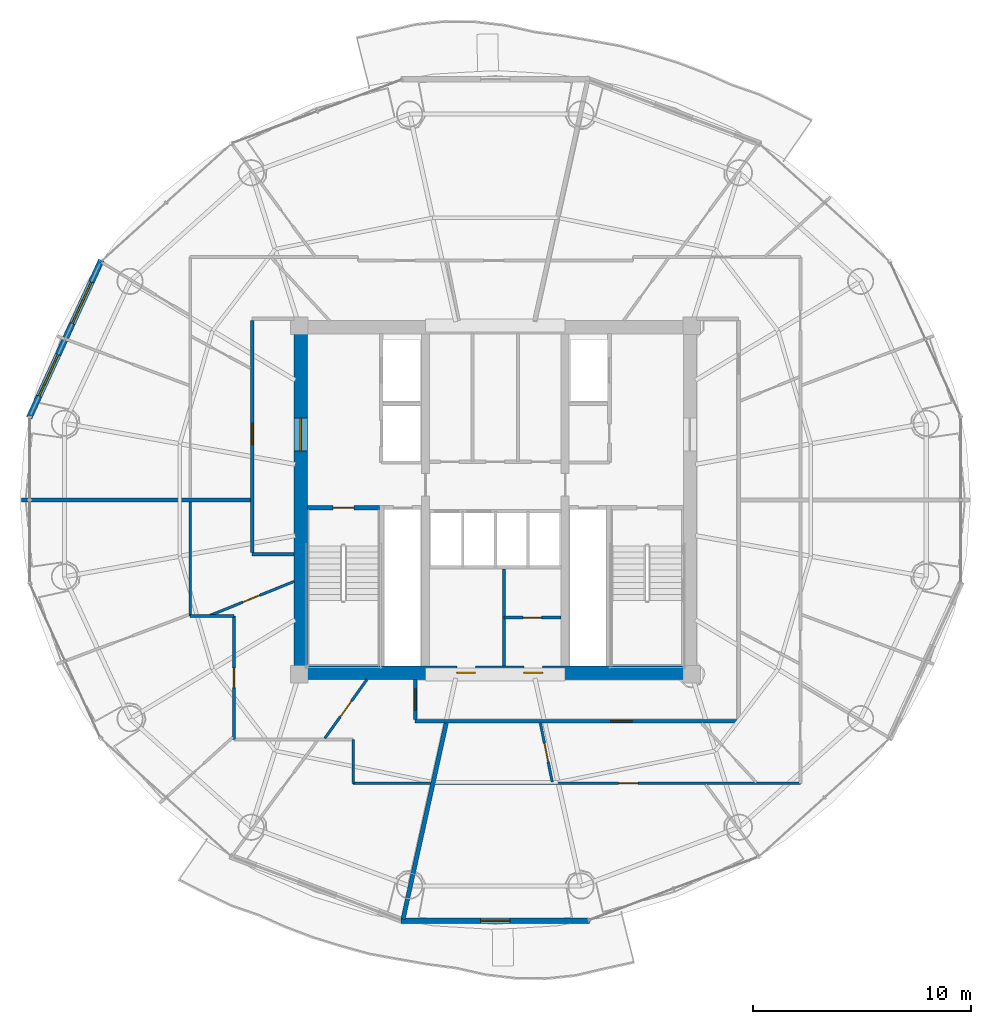
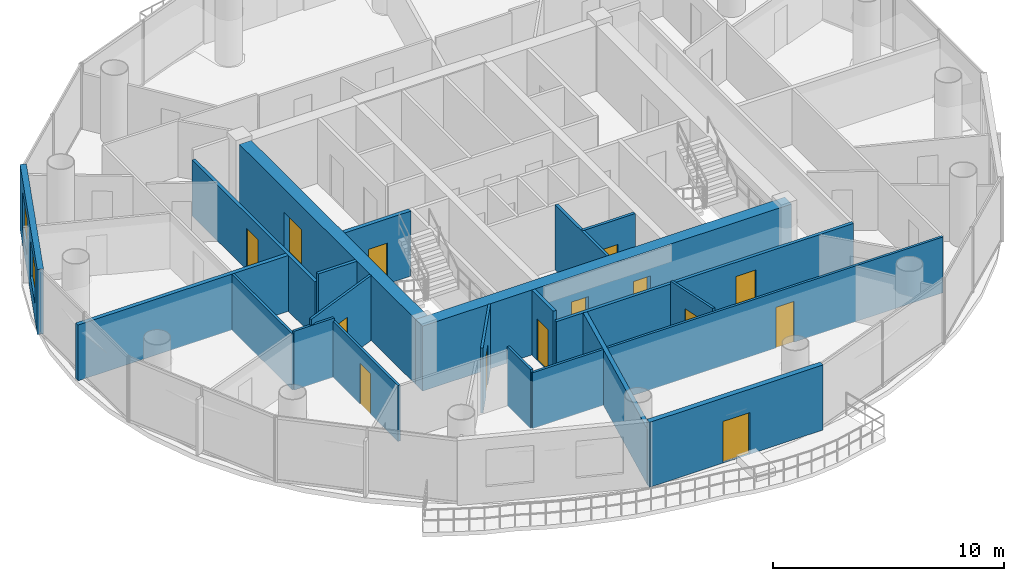
# One storey, part 20 of 26: 22 walls, 14 doors, 2 windows, 16 openings.
"""IFC4 building model written with IfcOpenShell, lengths in metres."""

from ifc_helpers import new_model, si_unit, direction, frame, frame_2d, origin, place, context, subcontext, project, spatial, rectangle, extrude, source, transform, mapped, material, layer, layer_set, type_object, element, fill, save


model = new_model("IFC4")

# Units and contexts
model_context = context("Model", 3, precision=1e-05, world=origin(), true_north=direction((-0.2419218956, 0.970295726276)))
body_context = subcontext(model_context, "Body", "Model", "MODEL_VIEW")
ifc_project = project(units=[si_unit("LENGTHUNIT", "METRE"), si_unit("AREAUNIT", "SQUARE_METRE"), si_unit("VOLUMEUNIT", "CUBIC_METRE"), si_unit("PLANEANGLEUNIT", "RADIAN"), si_unit("MASSUNIT", "GRAM", prefix="KILO")], contexts=[model_context])

# Site, building, storey
site_placement = place(None, origin())
site = spatial("IfcSite", under=ifc_project, at=site_placement, CompositionType="ELEMENT")
building_placement = place(site_placement, origin())
building = spatial("IfcBuilding", under=site, at=building_placement, Name="Cobrevalo Terracotta Tower", CompositionType="ELEMENT")
storey_placement = place(building_placement, frame((0.0, 0.0, 217.10009765625)))
storey = spatial("IfcBuildingStorey", under=building, at=storey_placement, Name="L57", CompositionType="ELEMENT", Elevation=217.10009765625)

# Wall, openings, doors
ifc_material_1 = material(Name="Concrete C55", Category="concrete")
ifc_layer_1 = layer(ifc_material_1, 0.60009765625)
ifc_layer_set_1 = layer_set([ifc_layer_1], Name="Concrete C55")
wall_type_1 = type_object("IfcWallType", Name="Core shear wall 600 mm Concrete C55", PredefinedType="SHEAR", material=ifc_layer_set_1)
wall_1_placement = place(storey_placement, frame((28.77490234375, 18.875, 0.0), z_axis=(0.0, 0.0, 1.0), x_axis=(1.0, 0.0, 0.0)))
wall_1 = element("IfcWall", 1, at=wall_1_placement, inside=storey, type_object=wall_type_1, Name="L57 south core shear wall", PredefinedType="SHEAR", context=body_context, shape_type="SweptSolid", body=[
    extrude(rectangle(XDim=18.4501953125, YDim=0.60009765625, at=frame_2d((9.22509765625, 0.0))), origin(), (0.0, 0.0, 1.0), 3.434814453125),
])
opening_1_placement = place(wall_1_placement, frame((7.4599609375, 0.0, 0.0)))
opening_1 = element("IfcOpeningElement", 2, at=opening_1_placement, cuts=wall_1, Name="Opening ID-22", PredefinedType="OPENING", context=body_context, shape_type="SweptSolid", body=[
    extrude(rectangle(XDim=0.85009765625, YDim=2.10009765625, at=frame_2d((0.425048828125, 1.050048828125))), frame((0.0, 0.31005859375, 0.0), z_axis=(0.0, -1.0, 0.0), x_axis=(1.0, 0.0, 0.0)), (0.0, 0.0, 1.0), 0.6201171875),
])
opening_2_placement = place(wall_1_placement, frame((10.5400390625, 0.0, 0.0)))
opening_2 = element("IfcOpeningElement", 3, at=opening_2_placement, cuts=wall_1, Name="Opening ID-22", PredefinedType="OPENING", context=body_context, shape_type="SweptSolid", body=[
    extrude(rectangle(XDim=0.85009765625, YDim=2.10009765625, at=frame_2d((0.425048828125, 1.050048828125))), frame((0.0, 0.31005859375, 0.0), z_axis=(0.0, -1.0, 0.0), x_axis=(1.0, 0.0, 0.0)), (0.0, 0.0, 1.0), 0.6201171875),
])
ifc_material_2 = material(Name="Powder-coated steel", Category="steel")
door_type_1 = type_object("IfcDoorType", Name="Riser shaft & meter closet fire access door 850x2100 EI 60", OperationType="NOTDEFINED", PredefinedType="DOOR", material=ifc_material_2)
shared_shape_1 = source(origin(), body_context, "Body", "SweptSolid", [
    extrude(rectangle(XDim=0.85009765625, YDim=2.10009765625, at=frame_2d((0.425048828125, 1.050048828125))), frame((0.0, 0.02490234375, 0.0), z_axis=(0.0, -1.0, 0.0), x_axis=(1.0, 0.0, 0.0)), (0.0, 0.0, 1.0), 0.050048828125),
])
door_1_placement = place(opening_1_placement, origin())
door_1 = element("IfcDoor", 4, at=door_1_placement, inside=storey, type_object=door_type_1, Name="L57 core south plant door Floor AHU Mechanical Plant", OperationType="SINGLE_SWING_RIGHT", OverallHeight=2.10009765625, OverallWidth=0.85009765625, PredefinedType="DOOR", context=body_context, shape_type="MappedRepresentation", body=[
    mapped(shared_shape_1, transform((0.0, 0.0, 0.0), scale=1.0)),
])
fill(opening_1, door_1)
door_2_placement = place(opening_2_placement, origin())
door_2 = element("IfcDoor", 5, at=door_2_placement, inside=storey, type_object=door_type_1, Name="L57 core south plant door Sprinkler Valve Plant", OperationType="SINGLE_SWING_RIGHT", OverallHeight=2.10009765625, OverallWidth=0.85009765625, PredefinedType="DOOR", context=body_context, shape_type="MappedRepresentation", body=[
    mapped(shared_shape_1, transform((0.0, 0.0, 0.0), scale=1.0)),
])
fill(opening_2, door_2)

# Wall, opening, door
wall_2_placement = place(storey_placement, frame((29.074951171875, 19.175048828125, 0.0), z_axis=(0.0, 0.0, 1.0), x_axis=(0.0, 1.0, 0.0)))
wall_2 = element("IfcWall", 6, at=wall_2_placement, inside=storey, type_object=wall_type_1, Name="L57 west core shear wall", PredefinedType="SHEAR", context=body_context, shape_type="SweptSolid", body=[
    extrude(rectangle(XDim=15.25, YDim=0.60009765625, at=frame_2d((7.625, 0.0))), origin(), (0.0, 0.0, 1.0), 3.434814453125),
])
opening_3_placement = place(wall_2_placement, frame((9.875, 0.0, 0.0)))
opening_3 = element("IfcOpeningElement", 7, at=opening_3_placement, cuts=wall_2, Name="Opening ID-14", PredefinedType="OPENING", context=body_context, shape_type="SweptSolid", body=[
    extrude(rectangle(XDim=1.5, YDim=2.199951171875, at=frame_2d((0.75, 1.10009765625))), frame((0.0, 0.31005859375, 0.0), z_axis=(0.0, -1.0, 0.0), x_axis=(1.0, 0.0, 0.0)), (0.0, 0.0, 1.0), 0.6201171875),
])
ifc_material_3 = material(Name="Galvanized fire-rated steel", Category="steel")
door_type_2 = type_object("IfcDoorType", Name="Core cross-lobby double fire door 1500x2200 EI 90", OperationType="NOTDEFINED", PredefinedType="DOOR", material=ifc_material_3)
shared_shape_2 = source(origin(), body_context, "Body", "SweptSolid", [
    extrude(rectangle(XDim=1.5, YDim=2.199951171875, at=frame_2d((0.75, 1.10009765625))), frame((0.0, 0.02490234375, 0.0), z_axis=(0.0, -1.0, 0.0), x_axis=(1.0, 0.0, 0.0)), (0.0, 0.0, 1.0), 0.050048828125),
])
door_3_placement = place(opening_3_placement, origin())
door_3 = element("IfcDoor", 8, at=door_3_placement, inside=storey, type_object=door_type_2, Name="L57 west firefighting lobby entrance door", OperationType="DOUBLE_DOOR_SINGLE_SWING", OverallHeight=2.199951171875, OverallWidth=1.5, PredefinedType="DOOR", context=body_context, shape_type="MappedRepresentation", body=[
    mapped(shared_shape_2, transform((0.0, 0.0, 0.0), scale=1.0)),
])
fill(opening_3, door_3)

ifc_material_4 = material(Name="Gypsum board on steel stud", Category="steel")
ifc_layer_2 = layer(ifc_material_4, 0.159912109375)
ifc_layer_set_2 = layer_set([ifc_layer_2], Name="Gypsum board on steel stud")
wall_type_2 = type_object("IfcWallType", Name="Fire-rated corridor acoustic partition wall 160 mm", PredefinedType="PARTITIONING", material=ifc_layer_set_2)
wall_3_placement = place(storey_placement, frame((26.844970703125, 24.39990234375, 0.0), z_axis=(0.0, 0.0, 1.0), x_axis=(0.0, 1.0, 0.0)))
wall_3 = element("IfcWall", 9, at=wall_3_placement, inside=storey, type_object=wall_type_2, Name="L57 interior partition IW-L57-COR-W", PredefinedType="PARTITIONING", context=body_context, shape_type="SweptSolid", body=[
    extrude(rectangle(XDim=10.625, YDim=0.159912109375, at=frame_2d((5.3125, 0.0))), origin(), (0.0, 0.0, 1.0), 2.950927734375),
])
opening_4_placement = place(wall_3_placement, frame((4.93603515625, 0.0, 0.0)))
opening_4 = element("IfcOpeningElement", 10, at=opening_4_placement, cuts=wall_3, Name="Opening ID-05", PredefinedType="OPENING", context=body_context, shape_type="SweptSolid", body=[
    extrude(rectangle(XDim=0.97998046875, YDim=2.199951171875, at=frame_2d((0.489990234375, 1.10009765625))), frame((0.0, 0.08984375, 0.0), z_axis=(0.0, -1.0, 0.0), x_axis=(1.0, 0.0, 0.0)), (0.0, 0.0, 1.0), 0.179931640625),
])
ifc_material_5 = material(Name="Solid hardwood timber", Category="wood")
door_type_3 = type_object("IfcDoorType", Name="Residence entrance fire-rated acoustic timber door 980x2200 EI 60", OperationType="NOTDEFINED", PredefinedType="DOOR", material=ifc_material_5)
shared_shape_3 = source(origin(), body_context, "Body", "SweptSolid", [
    extrude(rectangle(XDim=0.97998046875, YDim=2.199951171875, at=frame_2d((0.489990234375, 1.10009765625))), frame((0.0, 0.02490234375, 0.0), z_axis=(0.0, -1.0, 0.0), x_axis=(1.0, 0.0, 0.0)), (0.0, 0.0, 1.0), 0.050048828125),
])
door_4_placement = place(opening_4_placement, origin())
door_4 = element("IfcDoor", 11, at=door_4_placement, inside=storey, type_object=door_type_3, Name="Flat L57B fire-rated apartment entrance door", OperationType="SINGLE_SWING_RIGHT", OverallHeight=2.199951171875, OverallWidth=0.97998046875, PredefinedType="DOOR", context=body_context, shape_type="MappedRepresentation", body=[
    mapped(shared_shape_3, transform((0.0, 0.0, 0.0), scale=1.0)),
])
fill(opening_4, door_4)

# Wall
wall_4_placement = place(storey_placement, frame((26.844970703125, 24.320068359375, 0.0), z_axis=(0.0, 0.0, 1.0), x_axis=(1.0, 0.0, 0.0)))
element("IfcWall", 12, at=wall_4_placement, inside=storey, type_object=wall_type_2, Name="L57 interior partition IW-L57-COR-WS-CAP", PredefinedType="PARTITIONING", context=body_context, shape_type="SweptSolid", body=[
    extrude(rectangle(XDim=1.929931640625, YDim=0.159912109375, at=frame_2d((0.96484375, 0.0))), origin(), (0.0, 0.0, 1.0), 3.434814453125),
])

# Wall, opening, door
wall_5_placement = place(storey_placement, frame((34.320068359375, 16.64501953125, 0.0), z_axis=(0.0, 0.0, 1.0), x_axis=(1.0, 0.0, 0.0)))
wall_5 = element("IfcWall", 13, at=wall_5_placement, inside=storey, type_object=wall_type_2, Name="L57 interior partition IW-L57-COR-S", PredefinedType="PARTITIONING", context=body_context, shape_type="SweptSolid", body=[
    extrude(rectangle(XDim=14.8349609375, YDim=0.159912109375, at=frame_2d((7.41748046875, 0.0))), origin(), (0.0, 0.0, 1.0), 2.950927734375),
])
opening_5_placement = place(wall_5_placement, frame((8.972900390625, 0.0, 0.0)))
opening_5 = element("IfcOpeningElement", 14, at=opening_5_placement, cuts=wall_5, Name="Opening ID-05", PredefinedType="OPENING", context=body_context, shape_type="SweptSolid", body=[
    extrude(rectangle(XDim=0.97998046875, YDim=2.199951171875, at=frame_2d((0.489990234375, 1.10009765625))), frame((0.0, 0.08984375, 0.0), z_axis=(0.0, -1.0, 0.0), x_axis=(1.0, 0.0, 0.0)), (0.0, 0.0, 1.0), 0.179931640625),
])
door_5_placement = place(opening_5_placement, frame((0.97998046875, 0.0, 0.0), z_axis=(0.0, 0.0, 1.0), x_axis=(-1.0, 0.0, 0.0)))
door_5 = element("IfcDoor", 15, at=door_5_placement, inside=storey, type_object=door_type_3, Name="Flat L57D fire-rated apartment entrance door", OperationType="SINGLE_SWING_LEFT", OverallHeight=2.199951171875, OverallWidth=0.97998046875, PredefinedType="DOOR", context=body_context, shape_type="MappedRepresentation", body=[
    mapped(shared_shape_3, transform((0.0, 0.0, 0.0), scale=1.0)),
])
fill(opening_5, door_5)

wall_6_placement = place(storey_placement, frame((34.320068359375, 16.72509765625, 0.0), z_axis=(0.0, 0.0, 1.0), x_axis=(0.0, 1.0, 0.0)))
wall_6 = element("IfcWall", 16, at=wall_6_placement, inside=storey, type_object=wall_type_2, Name="L57 interior partition IW-L57-COR-SW-CAP", PredefinedType="PARTITIONING", context=body_context, shape_type="SweptSolid", body=[
    extrude(rectangle(XDim=1.849853515625, YDim=0.159912109375, at=frame_2d((0.9248046875, 0.0))), origin(), (0.0, 0.0, 1.0), 3.434814453125),
])
opening_6_placement = place(wall_6_placement, frame((0.43505859375, 0.0, 0.0)))
opening_6 = element("IfcOpeningElement", 17, at=opening_6_placement, cuts=wall_6, Name="Opening ID-05", PredefinedType="OPENING", context=body_context, shape_type="SweptSolid", body=[
    extrude(rectangle(XDim=0.97998046875, YDim=2.199951171875, at=frame_2d((0.489990234375, 1.10009765625))), frame((0.0, 0.08984375, 0.0), z_axis=(0.0, -1.0, 0.0), x_axis=(1.0, 0.0, 0.0)), (0.0, 0.0, 1.0), 0.179931640625),
])
door_6_placement = place(opening_6_placement, origin())
door_6 = element("IfcDoor", 18, at=door_6_placement, inside=storey, type_object=door_type_3, Name="Flat L57C fire-rated apartment entrance door", OperationType="SINGLE_SWING_RIGHT", OverallHeight=2.199951171875, OverallWidth=0.97998046875, PredefinedType="DOOR", context=body_context, shape_type="MappedRepresentation", body=[
    mapped(shared_shape_3, transform((0.0, 0.0, 0.0), scale=1.0)),
])
fill(opening_6, door_6)

# Walls
ifc_material_6 = material(Name="Autoclaved aerated concrete block", Category="concrete")
ifc_layer_3 = layer(ifc_material_6, 0.199951171875)
ifc_layer_set_3 = layer_set([ifc_layer_3], Name="Autoclaved aerated concrete block")
wall_type_3 = type_object("IfcWallType", Name="Fire-rated stair, shaft & demising masonry wall 200 mm", PredefinedType="PARTITIONING", material=ifc_layer_set_3)
wall_7_placement = place(storey_placement, frame((26.764892578125, 26.800048828125, 0.0), z_axis=(0.0, 0.0, 1.0), x_axis=(-1.0, 0.0, 0.0)))
element("IfcWall", 19, at=wall_7_placement, inside=storey, type_object=wall_type_3, Name="L57 interior partition IW-L57-DEM-3", PredefinedType="PARTITIONING", context=body_context, shape_type="SweptSolid", body=[
    extrude(rectangle(XDim=10.5048828125, YDim=0.199951171875, at=frame_2d((5.25244140625, 0.0))), origin(), (0.0, 0.0, 1.0), 2.950927734375),
])
wall_8_placement = place(storey_placement, frame((35.7470703125, 16.56494140625, 0.0), z_axis=(0.0, 0.0, 1.0), x_axis=(-0.214957946814, -0.976623305631, 0.0)))
element("IfcWall", 20, at=wall_8_placement, inside=storey, type_object=wall_type_3, Name="L57 interior partition IW-L57-DEM-4", PredefinedType="PARTITIONING", context=body_context, shape_type="SweptSolid", body=[
    extrude(rectangle(XDim=9.201904296875, YDim=0.199951171875, at=frame_2d((4.60107421875, 0.0))), origin(), (0.0, 0.0, 1.0), 2.950927734375),
])

# Wall, openings, windows
ifc_layer_4 = layer(ifc_material_6, 0.280029296875)
ifc_layer_set_4 = layer_set([ifc_layer_4], Name="Autoclaved aerated concrete block")
wall_type_4 = type_object("IfcWallType", Name="Insulated tower spandrel & pier wall 280 mm with terracotta rainscreen", PredefinedType="SOLIDWALL", material=ifc_layer_set_4)
wall_9_placement = place(storey_placement, frame((19.93212890625, 37.80078125, 0.0), z_axis=(0.0, 0.0, 1.0), x_axis=(-0.416717018135, -0.909036262641, 0.0)))
wall_9 = element("IfcWall", 21, at=wall_9_placement, inside=storey, type_object=wall_type_4, Name="L57 terracotta rainscreen pier wall S07", PredefinedType="SOLIDWALL", context=body_context, shape_type="SweptSolid", body=[
    extrude(rectangle(XDim=7.960205078125, YDim=0.280029296875, at=frame_2d((3.97998046875, 0.0))), origin(), (0.0, 0.0, 1.0), 3.434814453125),
])
opening_7_placement = place(wall_9_placement, frame((1.099365234375, 0.0, 0.85009765625)))
opening_7 = element("IfcOpeningElement", 22, at=opening_7_placement, cuts=wall_9, Name="Opening WN-10", PredefinedType="OPENING", context=body_context, shape_type="SweptSolid", body=[
    extrude(rectangle(XDim=2.10009765625, YDim=1.949951171875, at=frame_2d((1.050048828125, 0.97509765625))), frame((0.0, 0.14990234375, 0.0), z_axis=(0.0, -1.0, 0.0), x_axis=(1.0, 0.0, 0.0)), (0.0, 0.0, 1.0), 0.300048828125),
])
opening_8_placement = place(wall_9_placement, frame((4.760986328125, 0.0, 0.85009765625)))
opening_8 = element("IfcOpeningElement", 23, at=opening_8_placement, cuts=wall_9, Name="Opening WN-10", PredefinedType="OPENING", context=body_context, shape_type="SweptSolid", body=[
    extrude(rectangle(XDim=2.10009765625, YDim=1.949951171875, at=frame_2d((1.050048828125, 0.97509765625))), frame((0.0, 0.14990234375, 0.0), z_axis=(0.0, -1.0, 0.0), x_axis=(1.0, 0.0, 0.0)), (0.0, 0.0, 1.0), 0.300048828125),
])
ifc_material_7 = material(Name="Solar-control low-E double glazing", Category="glass")
window_type = type_object("IfcWindowType", Name="Wide panoramic low-E aluminium window 2100x1950", PartitioningType="SINGLE_PANEL", PredefinedType="WINDOW", material=ifc_material_7)
shared_shape_4 = source(origin(), body_context, "Body", "SweptSolid", [
    extrude(rectangle(XDim=2.10009765625, YDim=1.949951171875, at=frame_2d((1.050048828125, 0.97509765625))), frame((0.0, 0.030029296875, 0.0), z_axis=(0.0, -1.0, 0.0), x_axis=(1.0, 0.0, 0.0)), (0.0, 0.0, 1.0), 0.06005859375),
])
window_1_placement = place(opening_7_placement, origin())
window_1 = element("IfcWindow", 24, at=window_1_placement, inside=storey, type_object=window_type, Name="L57 suite window S07A", OverallHeight=1.949951171875, OverallWidth=2.10009765625, PartitioningType="SINGLE_PANEL", PredefinedType="WINDOW", context=body_context, shape_type="MappedRepresentation", body=[
    mapped(shared_shape_4, transform((0.0, 0.0, 0.0), scale=1.0)),
])
fill(opening_7, window_1)
window_2_placement = place(opening_8_placement, origin())
window_2 = element("IfcWindow", 25, at=window_2_placement, inside=storey, type_object=window_type, Name="L57 suite window S07B", OverallHeight=1.949951171875, OverallWidth=2.10009765625, PartitioningType="SINGLE_PANEL", PredefinedType="WINDOW", context=body_context, shape_type="MappedRepresentation", body=[
    mapped(shared_shape_4, transform((0.0, 0.0, 0.0), scale=1.0)),
])
fill(opening_8, window_2)

# Wall
ifc_layer_5 = layer(ifc_material_6, 0.139892578125)
ifc_layer_set_5 = layer_set([ifc_layer_5], Name="Autoclaved aerated concrete block")
wall_type_5 = type_object("IfcWallType", Name="Moisture-resistant wet-room & core service partition 140 mm", PredefinedType="PARTITIONING", material=ifc_layer_set_5)
wall_10_placement = place(storey_placement, frame((38.39990234375, 19.175048828125, 0.0), z_axis=(0.0, 0.0, 1.0), x_axis=(0.0, 1.0, 0.0)))
element("IfcWall", 26, at=wall_10_placement, inside=storey, type_object=wall_type_5, Name="L57 interior partition IW-L57-KVS-L1", PredefinedType="PARTITIONING", context=body_context, shape_type="SweptSolid", body=[
    extrude(rectangle(XDim=4.46484375, YDim=0.139892578125, at=frame_2d((2.232421875, 0.0))), origin(), (0.0, 0.0, 1.0), 3.434814453125),
])

# Wall, opening, door
wall_11_placement = place(storey_placement, frame((38.39990234375, 21.407470703125, 0.0), z_axis=(0.0, 0.0, 1.0), x_axis=(1.0, 0.0, 0.0)))
wall_11 = element("IfcWall", 27, at=wall_11_placement, inside=storey, type_object=wall_type_5, Name="L57 interior partition IW-L57-KVS-L2", PredefinedType="PARTITIONING", context=body_context, shape_type="SweptSolid", body=[
    extrude(rectangle(XDim=2.610107421875, YDim=0.139892578125, at=frame_2d((1.30517578125, 0.0))), origin(), (0.0, 0.0, 1.0), 3.434814453125),
])
opening_9_placement = place(wall_11_placement, frame((0.8798828125, 0.0, 0.0)))
opening_9 = element("IfcOpeningElement", 28, at=opening_9_placement, cuts=wall_11, Name="Opening ID-22", PredefinedType="OPENING", context=body_context, shape_type="SweptSolid", body=[
    extrude(rectangle(XDim=0.85009765625, YDim=2.10009765625, at=frame_2d((0.425048828125, 1.050048828125))), frame((0.0, 0.080078125, 0.0), z_axis=(0.0, -1.0, 0.0), x_axis=(1.0, 0.0, 0.0)), (0.0, 0.0, 1.0), 0.159912109375),
])
door_7_placement = place(opening_9_placement, origin())
door_7 = element("IfcDoor", 29, at=door_7_placement, inside=storey, type_object=door_type_1, Name="L57 core KVS-L2 inner door", OperationType="SINGLE_SWING_LEFT", OverallHeight=2.10009765625, OverallWidth=0.85009765625, PredefinedType="DOOR", context=body_context, shape_type="MappedRepresentation", body=[
    mapped(shared_shape_1, transform((0.0, 0.0, 0.0), scale=1.0)),
])
fill(opening_9, door_7)

ifc_layer_6 = layer(ifc_material_6, 0.260009765625)
ifc_layer_set_6 = layer_set([ifc_layer_6], Name="Autoclaved aerated concrete block")
wall_type_6 = type_object("IfcWallType", Name="Recessed balcony loggia insulated exterior wall 260 mm", PredefinedType="SOLIDWALL", material=ifc_layer_set_6)
wall_12_placement = place(storey_placement, frame((33.6728515625, 7.508056640625, 0.0), z_axis=(0.0, 0.0, 1.0), x_axis=(1.0, 0.0, 0.0)))
wall_12 = element("IfcWall", 30, at=wall_12_placement, inside=storey, type_object=wall_type_6, Name="L57 balcony loggia wall S12", PredefinedType="SOLIDWALL", context=body_context, shape_type="SweptSolid", body=[
    extrude(rectangle(XDim=8.654296875, YDim=0.260009765625, at=frame_2d((4.3271484375, 0.0))), origin(), (0.0, 0.0, 1.0), 3.434814453125),
])
opening_10_placement = place(wall_12_placement, frame((3.652099609375, 0.0, 0.0)))
opening_10 = element("IfcOpeningElement", 31, at=opening_10_placement, cuts=wall_12, Name="Opening ED-05", PredefinedType="OPENING", context=body_context, shape_type="SweptSolid", body=[
    extrude(rectangle(XDim=1.35009765625, YDim=2.199951171875, at=frame_2d((0.675048828125, 1.10009765625))), frame((0.0, 0.14013671875, 0.0), z_axis=(0.0, -1.0, 0.0), x_axis=(1.0, 0.0, 0.0)), (0.0, 0.0, 1.0), 0.280029296875),
])
ifc_material_8 = material(Name="Anodized aluminium and laminated glass", Category="aluminium")
door_type_4 = type_object("IfcDoorType", Name="Suite balcony acoustic glazed terrace door 1350x2200", OperationType="NOTDEFINED", PredefinedType="DOOR", material=ifc_material_8)
shared_shape_5 = source(origin(), body_context, "Body", "SweptSolid", [
    extrude(rectangle(XDim=1.35009765625, YDim=2.199951171875, at=frame_2d((0.675048828125, 1.10009765625))), frame((0.0, 0.02490234375, 0.0), z_axis=(0.0, -1.0, 0.0), x_axis=(1.0, 0.0, 0.0)), (0.0, 0.0, 1.0), 0.050048828125),
])
door_8_placement = place(opening_10_placement, frame((1.35009765625, 0.0, 0.0), z_axis=(0.0, 0.0, 1.0), x_axis=(-1.0, 0.0, 0.0)))
door_8 = element("IfcDoor", 32, at=door_8_placement, inside=storey, type_object=door_type_4, Name="L57 glazed balcony terrace door 2", OperationType="SINGLE_SWING_RIGHT", OverallHeight=2.199951171875, OverallWidth=1.35009765625, PredefinedType="DOOR", context=body_context, shape_type="MappedRepresentation", body=[
    mapped(shared_shape_5, transform((0.0, 0.0, 0.0), scale=1.0)),
])
fill(opening_10, door_8)

# Walls
ifc_layer_7 = layer(ifc_material_4, 0.1201171875)
ifc_layer_set_7 = layer_set([ifc_layer_7], Name="Gypsum board on steel stud")
wall_type_7 = type_object("IfcWallType", Name="Residential internal acoustic stud partition 120 mm", PredefinedType="PARTITIONING", material=ifc_layer_set_7)
wall_13_placement = place(storey_placement, frame((35.03759765625, 13.804931640625, 0.0), z_axis=(0.0, 0.0, 1.0), x_axis=(-1.0, 0.0, 0.0)))
element("IfcWall", 33, at=wall_13_placement, inside=storey, type_object=wall_type_7, Name="L57 interior partition IW-L57-U3-RING0_0", PredefinedType="PARTITIONING", context=body_context, shape_type="SweptSolid", body=[
    extrude(rectangle(XDim=3.5576171875, YDim=0.1201171875, at=frame_2d((1.77880859375, 0.0))), origin(), (0.0, 0.0, 1.0), 2.950927734375),
])
wall_14_placement = place(storey_placement, frame((31.47998046875, 13.804931640625, 0.0), z_axis=(0.0, 0.0, 1.0), x_axis=(0.0, 1.0, 0.0)))
element("IfcWall", 34, at=wall_14_placement, inside=storey, type_object=wall_type_7, Name="L57 interior partition IW-L57-U3-RING1_0", PredefinedType="PARTITIONING", context=body_context, shape_type="SweptSolid", body=[
    extrude(rectangle(XDim=2.010009765625, YDim=0.1201171875, at=frame_2d((1.0048828125, 0.0))), origin(), (0.0, 0.0, 1.0), 3.10986328125),
])

# Wall, opening, door
wall_15_placement = place(storey_placement, frame((26.014892578125, 15.81494140625, 0.0), z_axis=(0.0, 0.0, 1.0), x_axis=(0.0, 1.0, 0.0)))
wall_15 = element("IfcWall", 35, at=wall_15_placement, inside=storey, type_object=wall_type_7, Name="L57 interior partition IW-L57-U3-RING3_0", PredefinedType="PARTITIONING", context=body_context, shape_type="SweptSolid", body=[
    extrude(rectangle(XDim=5.6650390625, YDim=0.1201171875, at=frame_2d((2.83251953125, 0.0))), origin(), (0.0, 0.0, 1.0), 2.950927734375),
])
opening_11_placement = place(wall_15_placement, frame((2.382568359375, 0.0, 0.0)))
opening_11 = element("IfcOpeningElement", 36, at=opening_11_placement, cuts=wall_15, Name="Opening ID-12", PredefinedType="OPENING", context=body_context, shape_type="SweptSolid", body=[
    extrude(rectangle(XDim=0.89990234375, YDim=2.14990234375, at=frame_2d((0.449951171875, 1.074951171875))), frame((0.0, 0.070068359375, 0.0), z_axis=(0.0, -1.0, 0.0), x_axis=(1.0, 0.0, 0.0)), (0.0, 0.0, 1.0), 0.14013671875),
])
ifc_material_9 = material(Name="Engineered timber", Category="wood")
door_type_5 = type_object("IfcDoorType", Name="Internal residence & suite timber door 900x2150", OperationType="NOTDEFINED", PredefinedType="DOOR", material=ifc_material_9)
shared_shape_6 = source(origin(), body_context, "Body", "SweptSolid", [
    extrude(rectangle(XDim=0.89990234375, YDim=2.14990234375, at=frame_2d((0.449951171875, 1.074951171875))), frame((0.0, 0.02490234375, 0.0), z_axis=(0.0, -1.0, 0.0), x_axis=(1.0, 0.0, 0.0)), (0.0, 0.0, 1.0), 0.050048828125),
])
door_9_placement = place(opening_11_placement, origin())
door_9 = element("IfcDoor", 37, at=door_9_placement, inside=storey, type_object=door_type_5, Name="Flat L57C Master Bedroom internal door", OperationType="SINGLE_SWING_RIGHT", OverallHeight=2.14990234375, OverallWidth=0.89990234375, PredefinedType="DOOR", context=body_context, shape_type="MappedRepresentation", body=[
    mapped(shared_shape_6, transform((0.0, 0.0, 0.0), scale=1.0)),
])
fill(opening_11, door_9)

# Walls
wall_16_placement = place(storey_placement, frame((26.014892578125, 21.47998046875, 0.0), z_axis=(0.0, 0.0, 1.0), x_axis=(-1.0, 0.0, 0.0)))
element("IfcWall", 38, at=wall_16_placement, inside=storey, type_object=wall_type_7, Name="L57 interior partition IW-L57-U3-RING4_0", PredefinedType="PARTITIONING", context=body_context, shape_type="SweptSolid", body=[
    extrude(rectangle(XDim=2.010009765625, YDim=0.1201171875, at=frame_2d((1.0048828125, 0.0))), origin(), (0.0, 0.0, 1.0), 3.10986328125),
])
wall_17_placement = place(storey_placement, frame((24.0048828125, 21.47998046875, 0.0), z_axis=(0.0, 0.0, 1.0), x_axis=(0.0, 1.0, 0.0)))
element("IfcWall", 39, at=wall_17_placement, inside=storey, type_object=wall_type_7, Name="L57 interior partition IW-L57-U3-RING5_0", PredefinedType="PARTITIONING", context=body_context, shape_type="SweptSolid", body=[
    extrude(rectangle(XDim=5.218017578125, YDim=0.1201171875, at=frame_2d((2.60888671875, 0.0))), origin(), (0.0, 0.0, 1.0), 2.950927734375),
])

# Wall, opening, door
wall_18_placement = place(storey_placement, frame((28.77490234375, 23.066650390625, 0.0), z_axis=(0.0, 0.0, 1.0), x_axis=(-0.926976443277, -0.375119545757, 0.0)))
wall_18 = element("IfcWall", 40, at=wall_18_placement, inside=storey, type_object=wall_type_7, Name="L57 interior partition IW-L57-U3-IRAD1", PredefinedType="PARTITIONING", context=body_context, shape_type="SweptSolid", body=[
    extrude(rectangle(XDim=4.229736328125, YDim=0.1201171875, at=frame_2d((2.11474609375, 0.0))), origin(), (0.0, 0.0, 1.0), 3.434814453125),
])
opening_12_placement = place(wall_18_placement, frame((1.684814453125, 0.0, 0.0)))
opening_12 = element("IfcOpeningElement", 41, at=opening_12_placement, cuts=wall_18, Name="Opening ID-19", PredefinedType="OPENING", context=body_context, shape_type="SweptSolid", body=[
    extrude(rectangle(XDim=0.860107421875, YDim=2.14990234375, at=frame_2d((0.43017578125, 1.074951171875))), frame((0.0, 0.070068359375, 0.0), z_axis=(0.0, -1.0, 0.0), x_axis=(1.0, 0.0, 0.0)), (0.0, 0.0, 1.0), 0.14013671875),
])
ifc_material_10 = material(Name="Moisture-sealed timber", Category="wood")
door_type_6 = type_object("IfcDoorType", Name="Suite bathroom internal timber door 860x2150", OperationType="NOTDEFINED", PredefinedType="DOOR", material=ifc_material_10)
shared_shape_7 = source(origin(), body_context, "Body", "SweptSolid", [
    extrude(rectangle(XDim=0.860107421875, YDim=2.14990234375, at=frame_2d((0.43017578125, 1.074951171875))), frame((0.0, 0.02490234375, 0.0), z_axis=(0.0, -1.0, 0.0), x_axis=(1.0, 0.0, 0.0)), (0.0, 0.0, 1.0), 0.050048828125),
])
door_10_placement = place(opening_12_placement, frame((0.860107421875, 0.0, 0.0), z_axis=(0.0, 0.0, 1.0), x_axis=(-1.0, 0.0, 0.0)))
door_10 = element("IfcDoor", 42, at=door_10_placement, inside=storey, type_object=door_type_6, Name="Flat L57C Primary Bathroom internal door", OperationType="SINGLE_SWING_LEFT", OverallHeight=2.14990234375, OverallWidth=0.860107421875, PredefinedType="DOOR", context=body_context, shape_type="MappedRepresentation", body=[
    mapped(shared_shape_7, transform((0.0, 0.0, 0.0), scale=1.0)),
])
fill(opening_12, door_10)

wall_19_placement = place(storey_placement, frame((32.11669921875, 18.574951171875, 0.0), z_axis=(0.0, 0.0, 1.0), x_axis=(-0.581813438478, -0.813322274874, 0.0)))
wall_19 = element("IfcWall", 43, at=wall_19_placement, inside=storey, type_object=wall_type_7, Name="L57 interior partition IW-L57-U3-IRAD2", PredefinedType="PARTITIONING", context=body_context, shape_type="SweptSolid", body=[
    extrude(rectangle(XDim=3.331298828125, YDim=0.1201171875, at=frame_2d((1.66552734375, 0.0))), origin(), (0.0, 0.0, 1.0), 3.434814453125),
])
opening_13_placement = place(wall_19_placement, frame((1.2158203125, 0.0, 0.0)))
opening_13 = element("IfcOpeningElement", 44, at=opening_13_placement, cuts=wall_19, Name="Opening ID-12", PredefinedType="OPENING", context=body_context, shape_type="SweptSolid", body=[
    extrude(rectangle(XDim=0.89990234375, YDim=2.14990234375, at=frame_2d((0.449951171875, 1.074951171875))), frame((0.0, 0.070068359375, 0.0), z_axis=(0.0, -1.0, 0.0), x_axis=(1.0, 0.0, 0.0)), (0.0, 0.0, 1.0), 0.14013671875),
])
door_11_placement = place(opening_13_placement, frame((0.89990234375, 0.0, 0.0), z_axis=(0.0, 0.0, 1.0), x_axis=(-1.0, 0.0, 0.0)))
door_11 = element("IfcDoor", 45, at=door_11_placement, inside=storey, type_object=door_type_5, Name="Flat L57C Reception Hallway internal door", OperationType="SINGLE_SWING_LEFT", OverallHeight=2.14990234375, OverallWidth=0.89990234375, PredefinedType="DOOR", context=body_context, shape_type="MappedRepresentation", body=[
    mapped(shared_shape_6, transform((0.0, 0.0, 0.0), scale=1.0)),
])
fill(opening_13, door_11)

wall_20_placement = place(storey_placement, frame((51.9951171875, 13.804931640625, 0.0), z_axis=(0.0, 0.0, 1.0), x_axis=(-1.0, 0.0, 0.0)))
wall_20 = element("IfcWall", 46, at=wall_20_placement, inside=storey, type_object=wall_type_7, Name="L57 interior partition IW-L57-U4-RING1_0", PredefinedType="PARTITIONING", context=body_context, shape_type="SweptSolid", body=[
    extrude(rectangle(XDim=16.75341796875, YDim=0.1201171875, at=frame_2d((8.376708984375, 0.0))), origin(), (0.0, 0.0, 1.0), 2.950927734375),
])
opening_14_placement = place(wall_20_placement, frame((7.44189453125, 0.0, 0.0)))
opening_14 = element("IfcOpeningElement", 47, at=opening_14_placement, cuts=wall_20, Name="Opening ID-12", PredefinedType="OPENING", context=body_context, shape_type="SweptSolid", body=[
    extrude(rectangle(XDim=0.89990234375, YDim=2.14990234375, at=frame_2d((0.449951171875, 1.074951171875))), frame((0.0, 0.070068359375, 0.0), z_axis=(0.0, -1.0, 0.0), x_axis=(1.0, 0.0, 0.0)), (0.0, 0.0, 1.0), 0.14013671875),
])
door_12_placement = place(opening_14_placement, origin())
door_12 = element("IfcDoor", 48, at=door_12_placement, inside=storey, type_object=door_type_5, Name="Flat L57D Living and Dining Room internal door", OperationType="SINGLE_SWING_LEFT", OverallHeight=2.14990234375, OverallWidth=0.89990234375, PredefinedType="DOOR", context=body_context, shape_type="MappedRepresentation", body=[
    mapped(shared_shape_6, transform((0.0, 0.0, 0.0), scale=1.0)),
])
fill(opening_14, door_12)

wall_21_placement = place(storey_placement, frame((40.06640625, 16.56494140625, 0.0), z_axis=(0.0, 0.0, 1.0), x_axis=(0.197974199315, -0.980207231358, 0.0)))
wall_21 = element("IfcWall", 49, at=wall_21_placement, inside=storey, type_object=wall_type_7, Name="L57 interior partition IW-L57-U4-IRAD1", PredefinedType="PARTITIONING", context=body_context, shape_type="SweptSolid", body=[
    extrude(rectangle(XDim=2.753662109375, YDim=0.1201171875, at=frame_2d((1.376953125, 0.0))), origin(), (0.0, 0.0, 1.0), 3.10986328125),
])
opening_15_placement = place(wall_21_placement, frame((0.94677734375, 0.0, 0.0)))
opening_15 = element("IfcOpeningElement", 50, at=opening_15_placement, cuts=wall_21, Name="Opening ID-19", PredefinedType="OPENING", context=body_context, shape_type="SweptSolid", body=[
    extrude(rectangle(XDim=0.860107421875, YDim=2.14990234375, at=frame_2d((0.43017578125, 1.074951171875))), frame((0.0, 0.070068359375, 0.0), z_axis=(0.0, -1.0, 0.0), x_axis=(1.0, 0.0, 0.0)), (0.0, 0.0, 1.0), 0.14013671875),
])
door_13_placement = place(opening_15_placement, frame((0.860107421875, 0.0, 0.0), z_axis=(0.0, 0.0, 1.0), x_axis=(-1.0, 0.0, 0.0)))
door_13 = element("IfcDoor", 51, at=door_13_placement, inside=storey, type_object=door_type_6, Name="Flat L57D Primary Bathroom internal door", OperationType="SINGLE_SWING_RIGHT", OverallHeight=2.14990234375, OverallWidth=0.860107421875, PredefinedType="DOOR", context=body_context, shape_type="MappedRepresentation", body=[
    mapped(shared_shape_7, transform((0.0, 0.0, 0.0), scale=1.0)),
])
fill(opening_15, door_13)

ifc_material_11 = material(Name="Concrete C50", Category="concrete")
ifc_layer_8 = layer(ifc_material_11, 0.199951171875)
ifc_layer_set_8 = layer_set([ifc_layer_8], Name="Concrete C50")
wall_type_8 = type_object("IfcWallType", Name="Structural core & podium stair-shaft RC wall 200 mm Concrete C50", PredefinedType="SOLIDWALL", material=ifc_layer_set_8)
wall_22_placement = place(storey_placement, frame((29.375, 26.449951171875, 0.0), z_axis=(0.0, 0.0, 1.0), x_axis=(1.0, 0.0, 0.0)))
wall_22 = element("IfcWall", 52, at=wall_22_placement, inside=storey, type_object=wall_type_8, Name="L57 ST-1 north structural shaft wall", PredefinedType="SOLIDWALL", context=body_context, shape_type="SweptSolid", body=[
    extrude(rectangle(XDim=3.320068359375, YDim=0.199951171875, at=frame_2d((1.66015625, 0.0))), origin(), (0.0, 0.0, 1.0), 3.434814453125),
])
opening_16_placement = place(wall_22_placement, frame((1.18505859375, 0.0, 0.0)))
opening_16 = element("IfcOpeningElement", 53, at=opening_16_placement, cuts=wall_22, Name="Opening ID-04", PredefinedType="OPENING", context=body_context, shape_type="SweptSolid", body=[
    extrude(rectangle(XDim=0.949951171875, YDim=2.14990234375, at=frame_2d((0.47509765625, 1.074951171875))), frame((0.0, 0.10986328125, 0.0), z_axis=(0.0, -1.0, 0.0), x_axis=(1.0, 0.0, 0.0)), (0.0, 0.0, 1.0), 0.219970703125),
])
door_type_7 = type_object("IfcDoorType", Name="Stair & firefighting lobby fire door 950x2150 EI 90", OperationType="NOTDEFINED", PredefinedType="DOOR", material=ifc_material_3)
shared_shape_8 = source(origin(), body_context, "Body", "SweptSolid", [
    extrude(rectangle(XDim=0.949951171875, YDim=2.14990234375, at=frame_2d((0.47509765625, 1.074951171875))), frame((0.0, 0.02490234375, 0.0), z_axis=(0.0, -1.0, 0.0), x_axis=(1.0, 0.0, 0.0)), (0.0, 0.0, 1.0), 0.050048828125),
])
door_14_placement = place(opening_16_placement, origin())
door_14 = element("IfcDoor", 54, at=door_14_placement, inside=storey, type_object=door_type_7, Name="L57 protected stair ST1 fire door", OperationType="SINGLE_SWING_LEFT", OverallHeight=2.14990234375, OverallWidth=0.949951171875, PredefinedType="DOOR", context=body_context, shape_type="MappedRepresentation", body=[
    mapped(shared_shape_8, transform((0.0, 0.0, 0.0), scale=1.0)),
])
fill(opening_16, door_14)

save(model, "model.ifc")
